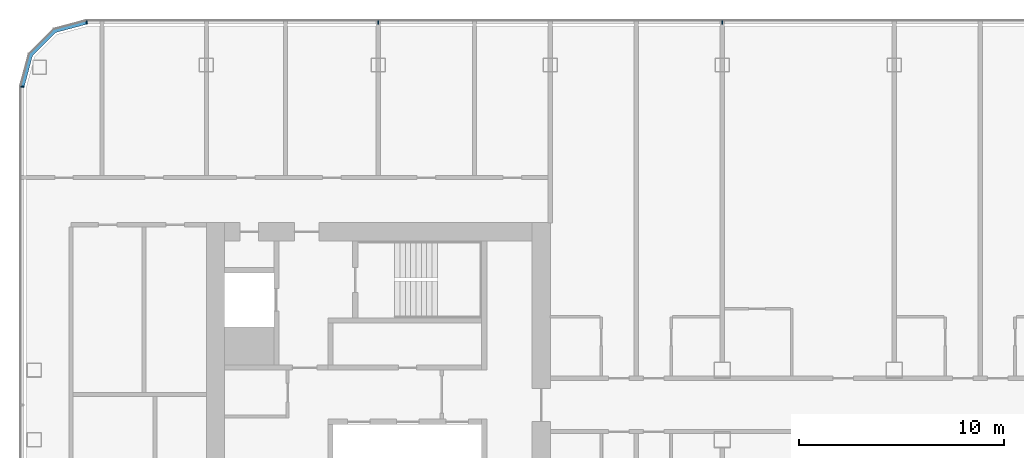
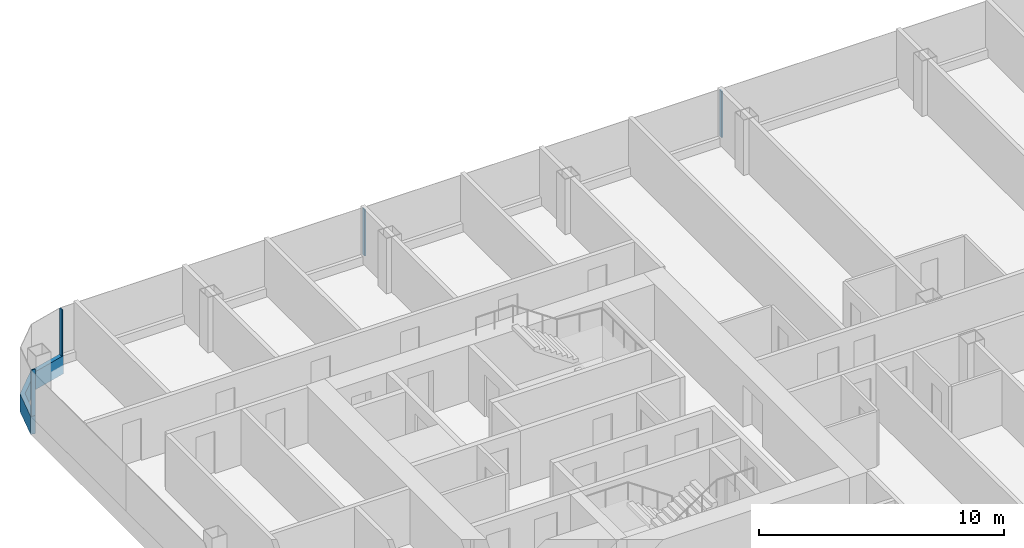
# One storey, part 6 of 26: 5 members, 3 elements without a shape of their own.
"""IFC4 building model written with IfcOpenShell, lengths in metres."""

from ifc_helpers import new_model, si_unit, direction, frame, origin, origin_2d, place, context, subcontext, project, spatial, polyline, rectangle, outline, extrude, material, layer, layer_set, material_profile, profile_set, type_object, element, aggregate, save


model = new_model("IFC4")

# Units and contexts
model_context = context("Model", 3, precision=1e-05, world=origin(), true_north=direction((0.0, 1.0)))
body_context = subcontext(model_context, "Body", "Model", "MODEL_VIEW")
ifc_project = project(units=[si_unit("LENGTHUNIT", "METRE"), si_unit("AREAUNIT", "SQUARE_METRE"), si_unit("VOLUMEUNIT", "CUBIC_METRE"), si_unit("PLANEANGLEUNIT", "RADIAN"), si_unit("MASSUNIT", "GRAM", prefix="KILO")], contexts=[model_context])

# Site, building, storey
site_placement = place(None, origin())
site = spatial("IfcSite", under=ifc_project, at=site_placement, CompositionType="ELEMENT")
building_placement = place(site_placement, origin())
building = spatial("IfcBuilding", under=site, at=building_placement, Name="Hakoniwa Tower and Hamabe Station Hall", CompositionType="ELEMENT")
storey_placement = place(building_placement, frame((0.0, 0.0, 140.60009765625)))
storey = spatial("IfcBuildingStorey", under=building, at=storey_placement, Name="L39", CompositionType="ELEMENT", Elevation=140.60009765625)

# Curtain wall, member
ifc_material_1 = material(Name="Dark low-e laminated glass", Category="glass")
ifc_layer = layer(ifc_material_1, 0.199951171875)
ifc_layer_set = layer_set([ifc_layer], Name="CW-1 UNITISED GUEST")
curtain_wall_type = type_object("IfcCurtainWallType", Name="CW-1 UNITISED GUEST", PredefinedType="NOTDEFINED", material=ifc_layer_set)
curtain_wall_1_placement = place(storey_placement, origin())
curtain_wall_1 = element("IfcCurtainWall", 1, at=curtain_wall_1_placement, inside=storey, type_object=curtain_wall_type, Name="CW-1 curtain wall", PredefinedType="NOTDEFINED")
ifc_material_2 = material(Name="Aluminium 6063-T5 black anodised", Category="aluminium")
ifc_material_profile_1 = material_profile(ifc_material_2, rectangle(XDim=0.199951171875, YDim=0.89990234375, at=origin_2d()), Name="CW SLAB-EDGE BAND 900X200")
ifc_profile_set_1 = profile_set([ifc_material_profile_1], Name="Aluminium 6063-T5 black anodised")
member_type_1 = type_object("IfcMemberType", Name="CW SLAB-EDGE BAND 900X200", PredefinedType="USERDEFINED", material=ifc_profile_set_1)
member_1_placement = place(storey_placement, frame((0.0, 0.0, -0.550048828125)))
member_1 = element("IfcMember", 2, at=member_1_placement, type_object=member_type_1, Name="CW-1 transom", ObjectType="TRANSOM", PredefinedType="USERDEFINED", context=body_context, shape_type="SweptSolid", body=[
    extrude(outline(polyline([(-39.439453125, 18.300048828125), (-41.05517578125, 17.866943359375), (-42.26708984375, 16.6552734375), (-42.699951171875, 15.03955078125), (-42.5068359375, 14.98779296875), (-42.087646484375, 16.5517578125), (-40.95166015625, 17.687744140625), (-39.3876953125, 18.10693359375), (-39.439453125, 18.300048828125)])), origin(), (0.0, 0.0, 1.0), 0.89990234375),
])
aggregate(curtain_wall_1, [member_1])

# Curtain wall, members
curtain_wall_2_placement = place(storey_placement, origin())
curtain_wall_2 = element("IfcCurtainWall", 3, at=curtain_wall_2_placement, inside=storey, type_object=curtain_wall_type, Name="CW-1 curtain wall", PredefinedType="NOTDEFINED")
ifc_material_3 = material(Name="Aluminium 6063-T5 black anodised", Category="aluminium")
ifc_material_profile_2 = material_profile(ifc_material_3, rectangle(XDim=0.06005859375, YDim=0.179931640625, at=origin_2d()), Name="CW-1 MULLION 60X180")
ifc_profile_set_2 = profile_set([ifc_material_profile_2], Name="Aluminium 6063-T5 black anodised")
member_type_2 = type_object("IfcMemberType", Name="CW-1 MULLION 60X180", PredefinedType="MULLION", material=ifc_profile_set_2)
member_2_placement = place(storey_placement, frame((-8.39990234375, 18.181884765625, 0.349853515625), z_axis=(0.0, 0.0, 1.0), x_axis=(-1.0, 0.0, 0.0)))
member_2 = element("IfcMember", 4, at=member_2_placement, type_object=member_type_2, Name="CW-1 mullion", PredefinedType="MULLION", context=body_context, shape_type="SweptSolid", body=[
    extrude(rectangle(XDim=0.06005859375, YDim=0.179931640625, at=origin_2d()), origin(), (0.0, 0.0, 1.0), 2.300048828125),
])
member_3_placement = place(storey_placement, frame((-25.199951171875, 18.181884765625, 0.349853515625), z_axis=(0.0, 0.0, 1.0), x_axis=(-1.0, 0.0, 0.0)))
member_3 = element("IfcMember", 5, at=member_3_placement, type_object=member_type_2, Name="CW-1 mullion", PredefinedType="MULLION", context=body_context, shape_type="SweptSolid", body=[
    extrude(rectangle(XDim=0.06005859375, YDim=0.179931640625, at=origin_2d()), origin(), (0.0, 0.0, 1.0), 2.300048828125),
])
member_4_placement = place(storey_placement, frame((-39.439453125, 18.181884765625, 0.349853515625), z_axis=(0.0, 0.0, 1.0), x_axis=(-1.0, 0.0, 0.0)))
member_4 = element("IfcMember", 6, at=member_4_placement, type_object=member_type_2, Name="CW-1 mullion", PredefinedType="MULLION", context=body_context, shape_type="SweptSolid", body=[
    extrude(rectangle(XDim=0.06005859375, YDim=0.179931640625, at=origin_2d()), origin(), (0.0, 0.0, 1.0), 2.300048828125),
])
aggregate(curtain_wall_2, [member_2, member_3, member_4])

# Curtain wall, member
curtain_wall_3_placement = place(storey_placement, origin())
curtain_wall_3 = element("IfcCurtainWall", 7, at=curtain_wall_3_placement, inside=storey, type_object=curtain_wall_type, Name="CW-1 curtain wall", PredefinedType="NOTDEFINED")
member_5_placement = place(storey_placement, frame((-42.58203125, 15.03955078125, 0.349853515625), z_axis=(0.0, 0.0, 1.0), x_axis=(0.0, -1.0, 0.0)))
member_5 = element("IfcMember", 8, at=member_5_placement, type_object=member_type_2, Name="CW-1 mullion", PredefinedType="MULLION", context=body_context, shape_type="SweptSolid", body=[
    extrude(rectangle(XDim=0.06005859375, YDim=0.179931640625, at=origin_2d()), origin(), (0.0, 0.0, 1.0), 2.300048828125),
])
aggregate(curtain_wall_3, [member_5])

save(model, "model.ifc")
